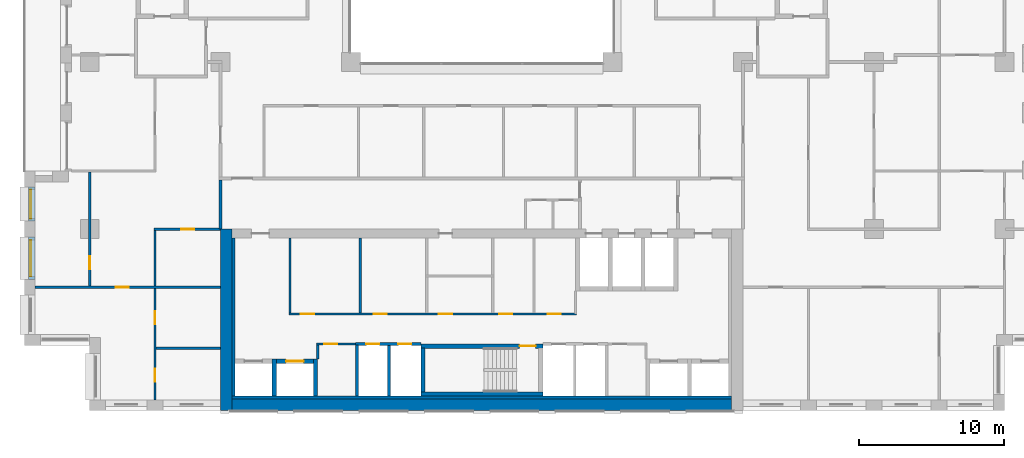
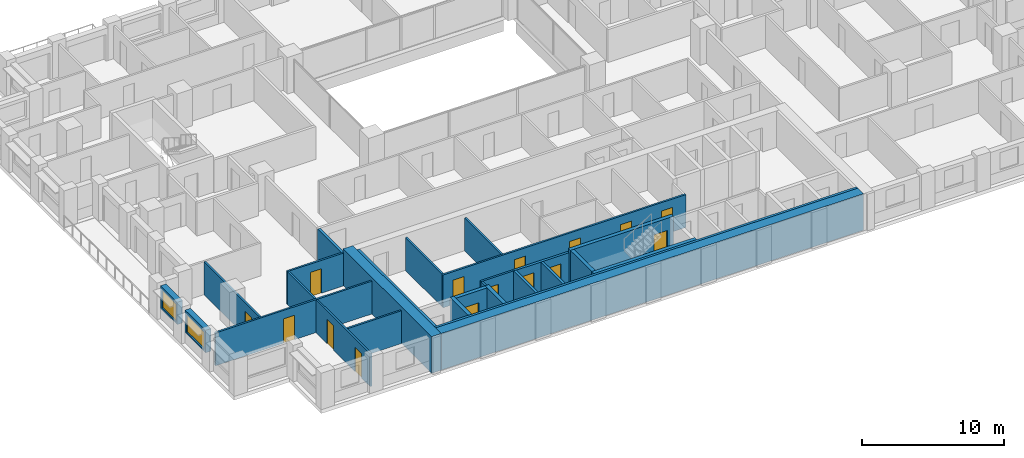
# One storey, part 8 of 16: 27 walls, 15 doors, 2 windows, 17 openings.
"""IFC4 building model written with IfcOpenShell, lengths in metres."""

from ifc_helpers import new_model, si_unit, direction, frame, frame_2d, origin, place, context, subcontext, project, spatial, rectangle, extrude, material, layer, layer_set, type_object, element, fill, save


model = new_model("IFC4")

# Units and contexts
model_context = context("Model", 3, precision=1e-05, world=origin(), true_north=direction((0.0, 1.0)))
body_context = subcontext(model_context, "Body", "Model", "MODEL_VIEW")
ifc_project = project(units=[si_unit("LENGTHUNIT", "METRE"), si_unit("AREAUNIT", "SQUARE_METRE"), si_unit("VOLUMEUNIT", "CUBIC_METRE"), si_unit("PLANEANGLEUNIT", "RADIAN"), si_unit("MASSUNIT", "GRAM", prefix="KILO")], contexts=[model_context])

# Site, building, storey
site_placement = place(None, origin())
site = spatial("IfcSite", under=ifc_project, at=site_placement, CompositionType="ELEMENT")
building_placement = place(site_placement, origin())
building = spatial("IfcBuilding", under=site, at=building_placement, Name="Brigalow Station Residences", CompositionType="ELEMENT")
storey_placement = place(building_placement, frame((0.0, 0.0, 89.85009765625)))
storey = spatial("IfcBuildingStorey", under=building, at=storey_placement, Name="L25", CompositionType="ELEMENT", Elevation=89.85009765625)

# Wall, opening, window
ifc_material_1 = material(Name="Clay brick masonry", Category="masonry")
ifc_layer_1 = layer(ifc_material_1, 0.449951171875)
ifc_layer_set_1 = layer_set([ifc_layer_1], Name="BRICK INFILL WALL 450")
wall_type_1 = type_object("IfcWallType", Name="BRICK INFILL WALL 450", PredefinedType="SOLIDWALL", material=ifc_layer_set_1)
wall_1_placement = place(storey_placement, frame((5.02490234375, 15.39990234375, 0.89990234375), z_axis=(0.0, 0.0, 1.0), x_axis=(0.0, -1.0, 0.0)))
wall_1 = element("IfcWall", 1, at=wall_1_placement, inside=storey, type_object=wall_type_1, Name="L25/ewall/W-L25-47", PredefinedType="SOLIDWALL", context=body_context, shape_type="SweptSolid", body=[
    extrude(rectangle(XDim=2.349853515625, YDim=0.449951171875, at=frame_2d((1.1748046875, 0.0))), origin(), (0.0, 0.0, 1.0), 1.929931640625),
])
opening_1_placement = place(wall_1_placement, frame((0.175048828125, 0.0, 0.14990234375)))
opening_1 = element("IfcOpeningElement", 2, at=opening_1_placement, cuts=wall_1, Name="Opening WT-7", PredefinedType="OPENING", context=body_context, shape_type="SweptSolid", body=[
    extrude(rectangle(XDim=2.0, YDim=1.5, at=frame_2d((1.0, 0.75))), frame((0.0, 0.23486328125, 0.0), z_axis=(0.0, -1.0, 0.0), x_axis=(1.0, 0.0, 0.0)), (0.0, 0.0, 1.0), 0.469970703125),
])
ifc_material_2 = material(Name="Anodised aluminium frame with double glazing", Category="aluminium")
window_type_1 = type_object("IfcWindowType", Name="WINDOW 2000x1500", PartitioningType="SINGLE_PANEL", PredefinedType="WINDOW", material=ifc_material_2)
window_1_placement = place(opening_1_placement, origin())
window_1 = element("IfcWindow", 3, at=window_1_placement, inside=storey, type_object=window_type_1, Name="L25/window/W-L25-47", OverallHeight=1.5, OverallWidth=2.0, PartitioningType="SINGLE_PANEL", PredefinedType="WINDOW", context=body_context, shape_type="SweptSolid", body=[
    extrude(rectangle(XDim=2.0, YDim=1.5, at=frame_2d((1.0, 0.75))), frame((0.0, -0.06494140625, 0.0), z_axis=(0.0, -1.0, 0.0), x_axis=(1.0, 0.0, 0.0)), (0.0, 0.0, 1.0), 0.06005859375),
])
fill(opening_1, window_1)

wall_2_placement = place(storey_placement, frame((5.02490234375, 11.949951171875, 0.89990234375), z_axis=(0.0, 0.0, 1.0), x_axis=(0.0, -1.0, 0.0)))
wall_2 = element("IfcWall", 4, at=wall_2_placement, inside=storey, type_object=wall_type_1, Name="L25/ewall/W-L25-48", PredefinedType="SOLIDWALL", context=body_context, shape_type="SweptSolid", body=[
    extrude(rectangle(XDim=2.89990234375, YDim=0.449951171875, at=frame_2d((1.449951171875, 0.0))), origin(), (0.0, 0.0, 1.0), 1.929931640625),
])
opening_2_placement = place(wall_2_placement, frame((0.199951171875, 0.0, 0.14990234375)))
opening_2 = element("IfcOpeningElement", 5, at=opening_2_placement, cuts=wall_2, Name="Opening WT-5", PredefinedType="OPENING", context=body_context, shape_type="SweptSolid", body=[
    extrude(rectangle(XDim=2.5, YDim=1.5, at=frame_2d((1.25, 0.75))), frame((0.0, 0.23486328125, 0.0), z_axis=(0.0, -1.0, 0.0), x_axis=(1.0, 0.0, 0.0)), (0.0, 0.0, 1.0), 0.469970703125),
])
ifc_material_3 = material(Name="Anodised aluminium frame with double glazing", Category="aluminium")
window_type_2 = type_object("IfcWindowType", Name="WINDOW 2500x1500", PartitioningType="SINGLE_PANEL", PredefinedType="WINDOW", material=ifc_material_3)
window_2_placement = place(opening_2_placement, origin())
window_2 = element("IfcWindow", 6, at=window_2_placement, inside=storey, type_object=window_type_2, Name="L25/window/W-L25-48", OverallHeight=1.5, OverallWidth=2.5, PartitioningType="SINGLE_PANEL", PredefinedType="WINDOW", context=body_context, shape_type="SweptSolid", body=[
    extrude(rectangle(XDim=2.5, YDim=1.5, at=frame_2d((1.25, 0.75))), frame((0.0, -0.06494140625, 0.0), z_axis=(0.0, -1.0, 0.0), x_axis=(1.0, 0.0, 0.0)), (0.0, 0.0, 1.0), 0.06005859375),
])
fill(opening_2, window_2)

# Walls
ifc_material_4 = material(Name="Concrete C65", Category="concrete")
ifc_layer_2 = layer(ifc_material_4, 0.199951171875)
ifc_layer_set_2 = layer_set([ifc_layer_2], Name="CORE SHEAR WALL 200 C65")
wall_type_2 = type_object("IfcWallType", Name="CORE SHEAR WALL 200 C65", PredefinedType="SHEAR", material=ifc_layer_set_2)
wall_3_placement = place(storey_placement, frame((18.89990234375, 1.0, 0.0), z_axis=(0.0, 0.0, 1.0), x_axis=(0.0, 1.0, 0.0)))
element("IfcWall", 7, at=wall_3_placement, inside=storey, type_object=wall_type_2, Name="CORE WALL LIN-W L25", PredefinedType="SHEAR", context=body_context, shape_type="SweptSolid", body=[
    extrude(rectangle(XDim=10.89990234375, YDim=0.199951171875, at=frame_2d((5.449951171875, 0.0))), origin(), (0.0, 0.0, 1.0), 3.14990234375),
])
wall_4_placement = place(storey_placement, frame((18.800048828125, 0.89990234375, 0.0), z_axis=(0.0, 0.0, 1.0), x_axis=(1.0, 0.0, 0.0)))
element("IfcWall", 8, at=wall_4_placement, inside=storey, type_object=wall_type_2, Name="CORE WALL LIN-S L25", PredefinedType="SHEAR", context=body_context, shape_type="SweptSolid", body=[
    extrude(rectangle(XDim=34.39990234375, YDim=0.199951171875, at=frame_2d((17.199951171875, 0.0))), origin(), (0.0, 0.0, 1.0), 3.14990234375),
])

# Wall, opening, door
ifc_material_5 = material(Name="Concrete C65", Category="concrete")
ifc_layer_3 = layer(ifc_material_5, 0.300048828125)
ifc_layer_set_3 = layer_set([ifc_layer_3], Name="CORE SHEAR WALL 300 C65")
wall_type_3 = type_object("IfcWallType", Name="CORE SHEAR WALL 300 C65", PredefinedType="SHEAR", material=ifc_layer_set_3)
wall_5_placement = place(storey_placement, frame((21.85009765625, 3.39990234375, 0.0), z_axis=(0.0, 0.0, 1.0), x_axis=(1.0, 0.0, 0.0)))
wall_5 = element("IfcWall", 9, at=wall_5_placement, inside=storey, type_object=wall_type_3, Name="CORE WALL SH-C2-N L25", PredefinedType="SHEAR", context=body_context, shape_type="SweptSolid", body=[
    extrude(rectangle(XDim=2.5498046875, YDim=0.300048828125, at=frame_2d((1.27490234375, 0.0))), origin(), (0.0, 0.0, 1.0), 3.14990234375),
])
opening_3_placement = place(wall_5_placement, frame((0.675048828125, 0.0, 0.0)))
opening_3 = element("IfcOpeningElement", 10, at=opening_3_placement, cuts=wall_5, Name="Opening LD-LB2", PredefinedType="OPENING", context=body_context, shape_type="SweptSolid", body=[
    extrude(rectangle(XDim=1.199951171875, YDim=2.10009765625, at=frame_2d((0.60009765625, 1.050048828125))), frame((0.0, 0.16015625, 0.0), z_axis=(0.0, -1.0, 0.0), x_axis=(1.0, 0.0, 0.0)), (0.0, 0.0, 1.0), 0.320068359375),
])
ifc_material_6 = material(Name="Stainless steel sliding door leaves", Category="steel")
door_type_1 = type_object("IfcDoorType", Name="LIFT LANDING DOOR 1200 x 2100", OperationType="DOUBLE_DOOR_SLIDING", PredefinedType="DOOR", material=ifc_material_6)
door_1_placement = place(opening_3_placement, origin())
door_1 = element("IfcDoor", 11, at=door_1_placement, inside=storey, type_object=door_type_1, Name="LANDING DOOR LB2", OperationType="DOUBLE_DOOR_SLIDING", OverallHeight=2.10009765625, OverallWidth=1.199951171875, PredefinedType="DOOR", context=body_context, shape_type="SweptSolid", body=[
    extrude(rectangle(XDim=1.199951171875, YDim=2.10009765625, at=frame_2d((0.60009765625, 1.050048828125))), frame((0.0, 0.02490234375, 0.0), z_axis=(0.0, -1.0, 0.0), x_axis=(1.0, 0.0, 0.0)), (0.0, 0.0, 1.0), 0.050048828125),
])
fill(opening_3, door_1)

# Walls
for number, where, z_axis, x_axis, name in (
    (12, (21.699951171875, 1.0, 0.0), (0.0, 0.0, 1.0), (0.0, 1.0, 0.0), "CORE WALL SH-C2-W L25"),
    (13, (24.550048828125, 1.0, 0.0), (0.0, 0.0, 1.0), (0.0, 1.0, 0.0), "CORE WALL SH-C2-E L25"),
):
    element("IfcWall", number, at=place(storey_placement, frame(where, z_axis=z_axis, x_axis=x_axis)), inside=storey, type_object=wall_type_3, Name=name, PredefinedType="SHEAR", context=body_context, shape_type="SweptSolid", body=[
        extrude(rectangle(XDim=2.550048828125, YDim=0.300048828125, at=frame_2d((1.27490234375, 0.0))), origin(), (0.0, 0.0, 1.0), 3.14990234375),
    ])
wall_6_placement = place(storey_placement, frame((31.800048828125, 1.14990234375, 0.0), z_axis=(0.0, 0.0, 1.0), x_axis=(1.0, 0.0, 0.0)))
element("IfcWall", 14, at=wall_6_placement, inside=storey, type_object=wall_type_3, Name="CORE WALL ST-S2-S L25", PredefinedType="SHEAR", context=body_context, shape_type="SweptSolid", body=[
    extrude(rectangle(XDim=8.39990234375, YDim=0.300048828125, at=frame_2d((4.199951171875, 0.0))), origin(), (0.0, 0.0, 1.0), 3.14990234375),
])

# Wall, opening, door
wall_7_placement = place(storey_placement, frame((31.800048828125, 4.449951171875, 0.0), z_axis=(0.0, 0.0, 1.0), x_axis=(1.0, 0.0, 0.0)))
wall_7 = element("IfcWall", 15, at=wall_7_placement, inside=storey, type_object=wall_type_3, Name="CORE WALL ST-S2-N L25", PredefinedType="SHEAR", context=body_context, shape_type="SweptSolid", body=[
    extrude(rectangle(XDim=8.39990234375, YDim=0.300048828125, at=frame_2d((4.199951171875, 0.0))), origin(), (0.0, 0.0, 1.0), 3.14990234375),
])
opening_4_placement = place(wall_7_placement, frame((6.800048828125, 0.0, 0.0)))
opening_4 = element("IfcOpeningElement", 16, at=opening_4_placement, cuts=wall_7, Name="Opening D-5001", PredefinedType="OPENING", context=body_context, shape_type="SweptSolid", body=[
    extrude(rectangle(XDim=1.10009765625, YDim=2.10009765625, at=frame_2d((0.550048828125, 1.050048828125))), frame((0.0, 0.16015625, 0.0), z_axis=(0.0, -1.0, 0.0), x_axis=(1.0, 0.0, 0.0)), (0.0, 0.0, 1.0), 0.320068359375),
])
ifc_material_7 = material(Name="Steel fire door leaf in steel frame", Category="steel")
door_type_2 = type_object("IfcDoorType", Name="STAIR DOOR 1100 x 2100 FD60S", OperationType="SINGLE_SWING_LEFT", PredefinedType="DOOR", material=ifc_material_7)
door_2_placement = place(opening_4_placement, frame((1.10009765625, 0.0, 0.0), z_axis=(0.0, 0.0, 1.0), x_axis=(-1.0, 0.0, 0.0)))
door_2 = element("IfcDoor", 17, at=door_2_placement, inside=storey, type_object=door_type_2, Name="D-5001", OperationType="SINGLE_SWING_LEFT", OverallHeight=2.10009765625, OverallWidth=1.10009765625, PredefinedType="DOOR", context=body_context, shape_type="SweptSolid", body=[
    extrude(rectangle(XDim=1.10009765625, YDim=2.10009765625, at=frame_2d((0.550048828125, 1.050048828125))), frame((0.0, 0.02490234375, 0.0), z_axis=(0.0, -1.0, 0.0), x_axis=(1.0, 0.0, 0.0)), (0.0, 0.0, 1.0), 0.050048828125),
])
fill(opening_4, door_2)

# Walls
wall_8_placement = place(storey_placement, frame((31.949951171875, 1.300048828125, 0.0), z_axis=(0.0, 0.0, 1.0), x_axis=(0.0, 1.0, 0.0)))
element("IfcWall", 18, at=wall_8_placement, inside=storey, type_object=wall_type_3, Name="CORE WALL ST-S2-W L25", PredefinedType="SHEAR", context=body_context, shape_type="SweptSolid", body=[
    extrude(rectangle(XDim=3.0, YDim=0.300048828125, at=frame_2d((1.5, 0.0))), origin(), (0.0, 0.0, 1.0), 3.14990234375),
])
ifc_material_8 = material(Name="Concrete C65", Category="concrete")
ifc_layer_4 = layer(ifc_material_8, 0.800048828125)
ifc_layer_set_4 = layer_set([ifc_layer_4], Name="CORE SHEAR WALL 800 C65")
wall_type_4 = type_object("IfcWallType", Name="CORE SHEAR WALL 800 C65", PredefinedType="SHEAR", material=ifc_layer_set_4)
wall_9_placement = place(storey_placement, frame((18.39990234375, 0.0, 0.0), z_axis=(0.0, 0.0, 1.0), x_axis=(0.0, 1.0, 0.0)))
element("IfcWall", 19, at=wall_9_placement, inside=storey, type_object=wall_type_4, Name="CORE WALL OUT-W L25", PredefinedType="SHEAR", context=body_context, shape_type="SweptSolid", body=[
    extrude(rectangle(XDim=12.5, YDim=0.800048828125, at=frame_2d((6.25, 0.0))), origin(), (0.0, 0.0, 1.0), 3.14990234375),
])
wall_10_placement = place(storey_placement, frame((18.800048828125, 0.39990234375, 0.0), z_axis=(0.0, 0.0, 1.0), x_axis=(1.0, 0.0, 0.0)))
element("IfcWall", 20, at=wall_10_placement, inside=storey, type_object=wall_type_4, Name="CORE WALL OUT-S L25", PredefinedType="SHEAR", context=body_context, shape_type="SweptSolid", body=[
    extrude(rectangle(XDim=34.39990234375, YDim=0.800048828125, at=frame_2d((17.199951171875, 0.0))), origin(), (0.0, 0.0, 1.0), 3.14990234375),
])

# Wall, openings, doors
ifc_material_9 = material(Name="Concrete blockwork", Category="masonry")
ifc_layer_5 = layer(ifc_material_9, 0.199951171875)
ifc_layer_set_5 = layer_set([ifc_layer_5], Name="FIRE RATED CORE PARTITION 200")
wall_type_5 = type_object("IfcWallType", Name="FIRE RATED CORE PARTITION 200", PredefinedType="PARTITIONING", material=ifc_layer_set_5)
wall_11_placement = place(storey_placement, frame((27.300048828125, 4.60009765625, 0.0), z_axis=(0.0, 0.0, 1.0), x_axis=(1.0, 0.0, 0.0)))
wall_11 = element("IfcWall", 21, at=wall_11_placement, inside=storey, type_object=wall_type_5, Name="PW-5017", PredefinedType="PARTITIONING", context=body_context, shape_type="SweptSolid", body=[
    extrude(rectangle(XDim=4.5, YDim=0.199951171875, at=frame_2d((2.25, 0.0))), origin(), (0.0, 0.0, 1.0), 2.829833984375),
])
opening_5_placement = place(wall_11_placement, frame((0.75, 0.0, 0.0)))
opening_5 = element("IfcOpeningElement", 22, at=opening_5_placement, cuts=wall_11, Name="Opening D-5007", PredefinedType="OPENING", context=body_context, shape_type="SweptSolid", body=[
    extrude(rectangle(XDim=0.89990234375, YDim=2.10009765625, at=frame_2d((0.449951171875, 1.050048828125))), frame((0.0, 0.10986328125, 0.0), z_axis=(0.0, -1.0, 0.0), x_axis=(1.0, 0.0, 0.0)), (0.0, 0.0, 1.0), 0.219970703125),
])
opening_6_placement = place(wall_11_placement, frame((2.949951171875, 0.0, 0.0)))
opening_6 = element("IfcOpeningElement", 23, at=opening_6_placement, cuts=wall_11, Name="Opening D-5008", PredefinedType="OPENING", context=body_context, shape_type="SweptSolid", body=[
    extrude(rectangle(XDim=0.89990234375, YDim=2.10009765625, at=frame_2d((0.449951171875, 1.050048828125))), frame((0.0, 0.10986328125, 0.0), z_axis=(0.0, -1.0, 0.0), x_axis=(1.0, 0.0, 0.0)), (0.0, 0.0, 1.0), 0.219970703125),
])
ifc_material_10 = material(Name="Steel fire door leaf in steel frame", Category="steel")
door_type_3 = type_object("IfcDoorType", Name="RISER ACCESS DOOR 900 x 2100 FD120", OperationType="SINGLE_SWING_LEFT", PredefinedType="DOOR", material=ifc_material_10)
door_3_placement = place(opening_5_placement, frame((0.89990234375, 0.0, 0.0), z_axis=(0.0, 0.0, 1.0), x_axis=(-1.0, 0.0, 0.0)))
door_3 = element("IfcDoor", 24, at=door_3_placement, inside=storey, type_object=door_type_3, Name="D-5007", OperationType="SINGLE_SWING_RIGHT", OverallHeight=2.10009765625, OverallWidth=0.89990234375, PredefinedType="DOOR", context=body_context, shape_type="SweptSolid", body=[
    extrude(rectangle(XDim=0.89990234375, YDim=2.10009765625, at=frame_2d((0.449951171875, 1.050048828125))), frame((0.0, 0.02490234375, 0.0), z_axis=(0.0, -1.0, 0.0), x_axis=(1.0, 0.0, 0.0)), (0.0, 0.0, 1.0), 0.050048828125),
])
fill(opening_5, door_3)
door_4_placement = place(opening_6_placement, frame((0.89990234375, 0.0, 0.0), z_axis=(0.0, 0.0, 1.0), x_axis=(-1.0, 0.0, 0.0)))
door_4 = element("IfcDoor", 25, at=door_4_placement, inside=storey, type_object=door_type_3, Name="D-5008", OperationType="SINGLE_SWING_RIGHT", OverallHeight=2.10009765625, OverallWidth=0.89990234375, PredefinedType="DOOR", context=body_context, shape_type="SweptSolid", body=[
    extrude(rectangle(XDim=0.89990234375, YDim=2.10009765625, at=frame_2d((0.449951171875, 1.050048828125))), frame((0.0, 0.02490234375, 0.0), z_axis=(0.0, -1.0, 0.0), x_axis=(1.0, 0.0, 0.0)), (0.0, 0.0, 1.0), 0.050048828125),
])
fill(opening_6, door_4)

# Walls
wall_12_placement = place(storey_placement, frame((27.39990234375, 1.0, 0.0), z_axis=(0.0, 0.0, 1.0), x_axis=(0.0, 1.0, 0.0)))
element("IfcWall", 26, at=wall_12_placement, inside=storey, type_object=wall_type_5, Name="PW-5027", PredefinedType="PARTITIONING", context=body_context, shape_type="SweptSolid", body=[
    extrude(rectangle(XDim=3.52490234375, YDim=0.199951171875, at=frame_2d((1.762451171875, 0.0))), origin(), (0.0, 0.0, 1.0), 2.829833984375),
])
wall_13_placement = place(storey_placement, frame((29.60009765625, 1.0, 0.0), z_axis=(0.0, 0.0, 1.0), x_axis=(0.0, 1.0, 0.0)))
element("IfcWall", 27, at=wall_13_placement, inside=storey, type_object=wall_type_5, Name="PW-5006", PredefinedType="PARTITIONING", context=body_context, shape_type="SweptSolid", body=[
    extrude(rectangle(XDim=3.5, YDim=0.199951171875, at=frame_2d((1.75, 0.0))), origin(), (0.0, 0.0, 1.0), 2.829833984375),
])
wall_14_placement = place(storey_placement, frame((18.0, 12.5, 0.0), z_axis=(0.0, 0.0, 1.0), x_axis=(0.0, 1.0, 0.0)))
element("IfcWall", 28, at=wall_14_placement, inside=storey, type_object=wall_type_5, Name="PW-5013", PredefinedType="PARTITIONING", context=body_context, shape_type="SweptSolid", body=[
    extrude(rectangle(XDim=3.39990234375, YDim=0.199951171875, at=frame_2d((1.699951171875, 0.0))), origin(), (0.0, 0.0, 1.0), 2.829833984375),
])

# Wall, opening, door
ifc_material_11 = material(Name="Plasterboard on steel stud partition", Category="steel")
ifc_layer_6 = layer(ifc_material_11, 0.14990234375)
ifc_layer_set_6 = layer_set([ifc_layer_6], Name="FLAT PARTITION 150")
wall_type_6 = type_object("IfcWallType", Name="FLAT PARTITION 150", PredefinedType="PARTITIONING", material=ifc_layer_set_6)
wall_15_placement = place(storey_placement, frame((5.25, 8.5, 0.0), z_axis=(0.0, 0.0, 1.0), x_axis=(1.0, 0.0, 0.0)))
wall_15 = element("IfcWall", 29, at=wall_15_placement, inside=storey, type_object=wall_type_6, Name="PW-2A11", PredefinedType="PARTITIONING", context=body_context, shape_type="SweptSolid", body=[
    extrude(rectangle(XDim=12.75, YDim=0.14990234375, at=frame_2d((6.375, 0.0))), origin(), (0.0, 0.0, 1.0), 2.829833984375),
])
opening_7_placement = place(wall_15_placement, frame((5.550048828125, 0.0, 0.0)))
opening_7 = element("IfcOpeningElement", 30, at=opening_7_placement, cuts=wall_15, Name="Opening D-2A04", PredefinedType="OPENING", context=body_context, shape_type="SweptSolid", body=[
    extrude(rectangle(XDim=0.89990234375, YDim=2.10009765625, at=frame_2d((0.449951171875, 1.050048828125))), frame((0.0, 0.0849609375, 0.0), z_axis=(0.0, -1.0, 0.0), x_axis=(1.0, 0.0, 0.0)), (0.0, 0.0, 1.0), 0.169921875),
])
ifc_material_12 = material(Name="Solid-core timber door leaf", Category="wood")
door_type_4 = type_object("IfcDoorType", Name="INTERNAL DOOR 900 x 2100", OperationType="SINGLE_SWING_LEFT", PredefinedType="DOOR", material=ifc_material_12)
door_5_placement = place(opening_7_placement, frame((0.89990234375, 0.0, 0.0), z_axis=(0.0, 0.0, 1.0), x_axis=(-1.0, 0.0, 0.0)))
door_5 = element("IfcDoor", 31, at=door_5_placement, inside=storey, type_object=door_type_4, Name="D-2A04", OperationType="SINGLE_SWING_LEFT", OverallHeight=2.10009765625, OverallWidth=0.89990234375, PredefinedType="DOOR", context=body_context, shape_type="SweptSolid", body=[
    extrude(rectangle(XDim=0.89990234375, YDim=2.10009765625, at=frame_2d((0.449951171875, 1.050048828125))), frame((0.0, 0.02490234375, 0.0), z_axis=(0.0, -1.0, 0.0), x_axis=(1.0, 0.0, 0.0)), (0.0, 0.0, 1.0), 0.050048828125),
])
fill(opening_7, door_5)

# Wall
wall_16_placement = place(storey_placement, frame((13.574951171875, 4.300048828125, 0.0), z_axis=(0.0, 0.0, 1.0), x_axis=(1.0, 0.0, 0.0)))
element("IfcWall", 32, at=wall_16_placement, inside=storey, type_object=wall_type_6, Name="PW-2A13", PredefinedType="PARTITIONING", context=body_context, shape_type="SweptSolid", body=[
    extrude(rectangle(XDim=4.425048828125, YDim=0.14990234375, at=frame_2d((2.21240234375, 0.0))), origin(), (0.0, 0.0, 1.0), 2.829833984375),
])

# Wall, opening, door
wall_17_placement = place(storey_placement, frame((13.425048828125, 12.5, 0.0), z_axis=(0.0, 0.0, 1.0), x_axis=(1.0, 0.0, 0.0)))
wall_17 = element("IfcWall", 33, at=wall_17_placement, inside=storey, type_object=wall_type_6, Name="PW-2A16", PredefinedType="PARTITIONING", context=body_context, shape_type="SweptSolid", body=[
    extrude(rectangle(XDim=4.574951171875, YDim=0.14990234375, at=frame_2d((2.28759765625, 0.0))), origin(), (0.0, 0.0, 1.0), 2.829833984375),
])
opening_8_placement = place(wall_17_placement, frame((1.875, 0.0, 0.0)))
opening_8 = element("IfcOpeningElement", 34, at=opening_8_placement, cuts=wall_17, Name="Opening D-2A08", PredefinedType="OPENING", context=body_context, shape_type="SweptSolid", body=[
    extrude(rectangle(XDim=0.89990234375, YDim=2.10009765625, at=frame_2d((0.449951171875, 1.050048828125))), frame((0.0, 0.0849609375, 0.0), z_axis=(0.0, -1.0, 0.0), x_axis=(1.0, 0.0, 0.0)), (0.0, 0.0, 1.0), 0.169921875),
])
door_6_placement = place(opening_8_placement, frame((0.89990234375, 0.0, 0.0), z_axis=(0.0, 0.0, 1.0), x_axis=(-1.0, 0.0, 0.0)))
door_6 = element("IfcDoor", 35, at=door_6_placement, inside=storey, type_object=door_type_4, Name="D-2A08", OperationType="SINGLE_SWING_RIGHT", OverallHeight=2.10009765625, OverallWidth=0.89990234375, PredefinedType="DOOR", context=body_context, shape_type="SweptSolid", body=[
    extrude(rectangle(XDim=0.89990234375, YDim=2.10009765625, at=frame_2d((0.449951171875, 1.050048828125))), frame((0.0, 0.02490234375, 0.0), z_axis=(0.0, -1.0, 0.0), x_axis=(1.0, 0.0, 0.0)), (0.0, 0.0, 1.0), 0.050048828125),
])
fill(opening_8, door_6)

# Wall, openings, doors
wall_18_placement = place(storey_placement, frame((13.5, 0.75, 0.0), z_axis=(0.0, 0.0, 1.0), x_axis=(0.0, 1.0, 0.0)))
wall_18 = element("IfcWall", 36, at=wall_18_placement, inside=storey, type_object=wall_type_6, Name="PW-2A48", PredefinedType="PARTITIONING", context=body_context, shape_type="SweptSolid", body=[
    extrude(rectangle(XDim=7.675048828125, YDim=0.14990234375, at=frame_2d((3.83740234375, 0.0))), origin(), (0.0, 0.0, 1.0), 2.829833984375),
])
opening_9_placement = place(wall_18_placement, frame((1.25, 0.0, 0.0)))
opening_9 = element("IfcOpeningElement", 37, at=opening_9_placement, cuts=wall_18, Name="Opening D-2A05", PredefinedType="OPENING", context=body_context, shape_type="SweptSolid", body=[
    extrude(rectangle(XDim=0.89990234375, YDim=2.10009765625, at=frame_2d((0.449951171875, 1.050048828125))), frame((0.0, 0.0849609375, 0.0), z_axis=(0.0, -1.0, 0.0), x_axis=(1.0, 0.0, 0.0)), (0.0, 0.0, 1.0), 0.169921875),
])
opening_10_placement = place(wall_18_placement, frame((5.199951171875, 0.0, 0.0)))
opening_10 = element("IfcOpeningElement", 38, at=opening_10_placement, cuts=wall_18, Name="Opening D-2A06", PredefinedType="OPENING", context=body_context, shape_type="SweptSolid", body=[
    extrude(rectangle(XDim=0.89990234375, YDim=2.10009765625, at=frame_2d((0.449951171875, 1.050048828125))), frame((0.0, 0.0849609375, 0.0), z_axis=(0.0, -1.0, 0.0), x_axis=(1.0, 0.0, 0.0)), (0.0, 0.0, 1.0), 0.169921875),
])
door_7_placement = place(opening_9_placement, frame((0.89990234375, 0.0, 0.0), z_axis=(0.0, 0.0, 1.0), x_axis=(-1.0, 0.0, 0.0)))
door_7 = element("IfcDoor", 39, at=door_7_placement, inside=storey, type_object=door_type_4, Name="D-2A05", OperationType="SINGLE_SWING_RIGHT", OverallHeight=2.10009765625, OverallWidth=0.89990234375, PredefinedType="DOOR", context=body_context, shape_type="SweptSolid", body=[
    extrude(rectangle(XDim=0.89990234375, YDim=2.10009765625, at=frame_2d((0.449951171875, 1.050048828125))), frame((0.0, 0.02490234375, 0.0), z_axis=(0.0, -1.0, 0.0), x_axis=(1.0, 0.0, 0.0)), (0.0, 0.0, 1.0), 0.050048828125),
])
fill(opening_9, door_7)
door_8_placement = place(opening_10_placement, frame((0.89990234375, 0.0, 0.0), z_axis=(0.0, 0.0, 1.0), x_axis=(-1.0, 0.0, 0.0)))
door_8 = element("IfcDoor", 40, at=door_8_placement, inside=storey, type_object=door_type_4, Name="D-2A06", OperationType="SINGLE_SWING_LEFT", OverallHeight=2.10009765625, OverallWidth=0.89990234375, PredefinedType="DOOR", context=body_context, shape_type="SweptSolid", body=[
    extrude(rectangle(XDim=0.89990234375, YDim=2.10009765625, at=frame_2d((0.449951171875, 1.050048828125))), frame((0.0, 0.02490234375, 0.0), z_axis=(0.0, -1.0, 0.0), x_axis=(1.0, 0.0, 0.0)), (0.0, 0.0, 1.0), 0.050048828125),
])
fill(opening_10, door_8)

# Wall
wall_19_placement = place(storey_placement, frame((13.5, 8.574951171875, 0.0), z_axis=(0.0, 0.0, 1.0), x_axis=(0.0, 1.0, 0.0)))
element("IfcWall", 41, at=wall_19_placement, inside=storey, type_object=wall_type_6, Name="PW-2A49", PredefinedType="PARTITIONING", context=body_context, shape_type="SweptSolid", body=[
    extrude(rectangle(XDim=3.85009765625, YDim=0.14990234375, at=frame_2d((1.925048828125, 0.0))), origin(), (0.0, 0.0, 1.0), 2.829833984375),
])

# Wall, opening, door
wall_20_placement = place(storey_placement, frame((9.0, 8.574951171875, 0.0), z_axis=(0.0, 0.0, 1.0), x_axis=(0.0, 1.0, 0.0)))
wall_20 = element("IfcWall", 42, at=wall_20_placement, inside=storey, type_object=wall_type_6, Name="PW-2A52", PredefinedType="PARTITIONING", context=body_context, shape_type="SweptSolid", body=[
    extrude(rectangle(XDim=7.85009765625, YDim=0.14990234375, at=frame_2d((3.925048828125, 0.0))), origin(), (0.0, 0.0, 1.0), 2.829833984375),
])
opening_11_placement = place(wall_20_placement, frame((1.14990234375, 0.0, 0.0)))
opening_11 = element("IfcOpeningElement", 43, at=opening_11_placement, cuts=wall_20, Name="Opening D-2A07", PredefinedType="OPENING", context=body_context, shape_type="SweptSolid", body=[
    extrude(rectangle(XDim=0.89990234375, YDim=2.10009765625, at=frame_2d((0.449951171875, 1.050048828125))), frame((0.0, 0.0849609375, 0.0), z_axis=(0.0, -1.0, 0.0), x_axis=(1.0, 0.0, 0.0)), (0.0, 0.0, 1.0), 0.169921875),
])
door_9_placement = place(opening_11_placement, origin())
door_9 = element("IfcDoor", 44, at=door_9_placement, inside=storey, type_object=door_type_4, Name="D-2A07", OperationType="SINGLE_SWING_LEFT", OverallHeight=2.10009765625, OverallWidth=0.89990234375, PredefinedType="DOOR", context=body_context, shape_type="SweptSolid", body=[
    extrude(rectangle(XDim=0.89990234375, YDim=2.10009765625, at=frame_2d((0.449951171875, 1.050048828125))), frame((0.0, 0.02490234375, 0.0), z_axis=(0.0, -1.0, 0.0), x_axis=(1.0, 0.0, 0.0)), (0.0, 0.0, 1.0), 0.050048828125),
])
fill(opening_11, door_9)

ifc_material_13 = material(Name="Plasterboard on steel studs", Category="steel")
ifc_layer_7 = layer(ifc_material_13, 0.14990234375)
ifc_layer_set_7 = layer_set([ifc_layer_7], Name="SERVICE ROOM PARTITION 150")
wall_type_7 = type_object("IfcWallType", Name="SERVICE ROOM PARTITION 150", PredefinedType="PARTITIONING", material=ifc_layer_set_7)
wall_21_placement = place(storey_placement, frame((24.625, 4.60009765625, 0.0), z_axis=(0.0, 0.0, 1.0), x_axis=(1.0, 0.0, 0.0)))
wall_21 = element("IfcWall", 45, at=wall_21_placement, inside=storey, type_object=wall_type_7, Name="PW-5155", PredefinedType="PARTITIONING", context=body_context, shape_type="SweptSolid", body=[
    extrude(rectangle(XDim=2.675048828125, YDim=0.14990234375, at=frame_2d((1.33740234375, 0.0))), origin(), (0.0, 0.0, 1.0), 2.829833984375),
])
opening_12_placement = place(wall_21_placement, frame((0.52490234375, 0.0, 0.0)))
opening_12 = element("IfcOpeningElement", 46, at=opening_12_placement, cuts=wall_21, Name="Opening D-5087", PredefinedType="OPENING", context=body_context, shape_type="SweptSolid", body=[
    extrude(rectangle(XDim=0.89990234375, YDim=2.10009765625, at=frame_2d((0.449951171875, 1.050048828125))), frame((0.0, 0.0849609375, 0.0), z_axis=(0.0, -1.0, 0.0), x_axis=(1.0, 0.0, 0.0)), (0.0, 0.0, 1.0), 0.169921875),
])
ifc_material_14 = material(Name="Steel door leaf in steel frame", Category="steel")
door_type_5 = type_object("IfcDoorType", Name="SERVICE ROOM DOOR 900 x 2100 FD60", OperationType="SINGLE_SWING_LEFT", PredefinedType="DOOR", material=ifc_material_14)
door_10_placement = place(opening_12_placement, frame((0.89990234375, 0.0, 0.0), z_axis=(0.0, 0.0, 1.0), x_axis=(-1.0, 0.0, 0.0)))
door_10 = element("IfcDoor", 47, at=door_10_placement, inside=storey, type_object=door_type_5, Name="D-5087", OperationType="SINGLE_SWING_RIGHT", OverallHeight=2.10009765625, OverallWidth=0.89990234375, PredefinedType="DOOR", context=body_context, shape_type="SweptSolid", body=[
    extrude(rectangle(XDim=0.89990234375, YDim=2.10009765625, at=frame_2d((0.449951171875, 1.050048828125))), frame((0.0, 0.02490234375, 0.0), z_axis=(0.0, -1.0, 0.0), x_axis=(1.0, 0.0, 0.0)), (0.0, 0.0, 1.0), 0.050048828125),
])
fill(opening_12, door_10)

# Wall, openings, doors
wall_22_placement = place(storey_placement, frame((22.72509765625, 6.64990234375, 0.0), z_axis=(0.0, 0.0, 1.0), x_axis=(1.0, 0.0, 0.0)))
wall_22 = element("IfcWall", 48, at=wall_22_placement, inside=storey, type_object=wall_type_7, Name="PW-5195", PredefinedType="PARTITIONING", context=body_context, shape_type="SweptSolid", body=[
    extrude(rectangle(XDim=19.7998046875, YDim=0.14990234375, at=frame_2d((9.89990234375, 0.0))), origin(), (0.0, 0.0, 1.0), 2.829833984375),
])
opening_13_placement = place(wall_22_placement, frame((0.824951171875, 0.0, 0.0)))
opening_13 = element("IfcOpeningElement", 49, at=opening_13_placement, cuts=wall_22, Name="Opening D-5110", PredefinedType="OPENING", context=body_context, shape_type="SweptSolid", body=[
    extrude(rectangle(XDim=0.89990234375, YDim=2.10009765625, at=frame_2d((0.449951171875, 1.050048828125))), frame((0.0, 0.0849609375, 0.0), z_axis=(0.0, -1.0, 0.0), x_axis=(1.0, 0.0, 0.0)), (0.0, 0.0, 1.0), 0.169921875),
])
opening_14_placement = place(wall_22_placement, frame((5.824951171875, 0.0, 0.0)))
opening_14 = element("IfcOpeningElement", 50, at=opening_14_placement, cuts=wall_22, Name="Opening D-5111", PredefinedType="OPENING", context=body_context, shape_type="SweptSolid", body=[
    extrude(rectangle(XDim=0.89990234375, YDim=2.10009765625, at=frame_2d((0.449951171875, 1.050048828125))), frame((0.0, 0.0849609375, 0.0), z_axis=(0.0, -1.0, 0.0), x_axis=(1.0, 0.0, 0.0)), (0.0, 0.0, 1.0), 0.169921875),
])
opening_15_placement = place(wall_22_placement, frame((10.324951171875, 0.0, 0.0)))
opening_15 = element("IfcOpeningElement", 51, at=opening_15_placement, cuts=wall_22, Name="Opening D-5112", PredefinedType="OPENING", context=body_context, shape_type="SweptSolid", body=[
    extrude(rectangle(XDim=0.89990234375, YDim=2.10009765625, at=frame_2d((0.449951171875, 1.050048828125))), frame((0.0, 0.0849609375, 0.0), z_axis=(0.0, -1.0, 0.0), x_axis=(1.0, 0.0, 0.0)), (0.0, 0.0, 1.0), 0.169921875),
])
opening_16_placement = place(wall_22_placement, frame((14.47509765625, 0.0, 0.0)))
opening_16 = element("IfcOpeningElement", 52, at=opening_16_placement, cuts=wall_22, Name="Opening D-5114", PredefinedType="OPENING", context=body_context, shape_type="SweptSolid", body=[
    extrude(rectangle(XDim=0.89990234375, YDim=2.10009765625, at=frame_2d((0.449951171875, 1.050048828125))), frame((0.0, 0.0849609375, 0.0), z_axis=(0.0, -1.0, 0.0), x_axis=(1.0, 0.0, 0.0)), (0.0, 0.0, 1.0), 0.169921875),
])
opening_17_placement = place(wall_22_placement, frame((17.824951171875, 0.0, 0.0)))
opening_17 = element("IfcOpeningElement", 53, at=opening_17_placement, cuts=wall_22, Name="Opening D-5115", PredefinedType="OPENING", context=body_context, shape_type="SweptSolid", body=[
    extrude(rectangle(XDim=0.89990234375, YDim=2.10009765625, at=frame_2d((0.449951171875, 1.050048828125))), frame((0.0, 0.0849609375, 0.0), z_axis=(0.0, -1.0, 0.0), x_axis=(1.0, 0.0, 0.0)), (0.0, 0.0, 1.0), 0.169921875),
])
door_11_placement = place(opening_13_placement, origin())
door_11 = element("IfcDoor", 54, at=door_11_placement, inside=storey, type_object=door_type_5, Name="D-5110", OperationType="SINGLE_SWING_LEFT", OverallHeight=2.10009765625, OverallWidth=0.89990234375, PredefinedType="DOOR", context=body_context, shape_type="SweptSolid", body=[
    extrude(rectangle(XDim=0.89990234375, YDim=2.10009765625, at=frame_2d((0.449951171875, 1.050048828125))), frame((0.0, 0.02490234375, 0.0), z_axis=(0.0, -1.0, 0.0), x_axis=(1.0, 0.0, 0.0)), (0.0, 0.0, 1.0), 0.050048828125),
])
fill(opening_13, door_11)
door_12_placement = place(opening_14_placement, origin())
door_12 = element("IfcDoor", 55, at=door_12_placement, inside=storey, type_object=door_type_5, Name="D-5111", OperationType="SINGLE_SWING_LEFT", OverallHeight=2.10009765625, OverallWidth=0.89990234375, PredefinedType="DOOR", context=body_context, shape_type="SweptSolid", body=[
    extrude(rectangle(XDim=0.89990234375, YDim=2.10009765625, at=frame_2d((0.449951171875, 1.050048828125))), frame((0.0, 0.02490234375, 0.0), z_axis=(0.0, -1.0, 0.0), x_axis=(1.0, 0.0, 0.0)), (0.0, 0.0, 1.0), 0.050048828125),
])
fill(opening_14, door_12)
door_13_placement = place(opening_15_placement, origin())
door_13 = element("IfcDoor", 56, at=door_13_placement, inside=storey, type_object=door_type_5, Name="D-5112", OperationType="SINGLE_SWING_LEFT", OverallHeight=2.10009765625, OverallWidth=0.89990234375, PredefinedType="DOOR", context=body_context, shape_type="SweptSolid", body=[
    extrude(rectangle(XDim=0.89990234375, YDim=2.10009765625, at=frame_2d((0.449951171875, 1.050048828125))), frame((0.0, 0.02490234375, 0.0), z_axis=(0.0, -1.0, 0.0), x_axis=(1.0, 0.0, 0.0)), (0.0, 0.0, 1.0), 0.050048828125),
])
fill(opening_15, door_13)
door_14_placement = place(opening_16_placement, origin())
door_14 = element("IfcDoor", 57, at=door_14_placement, inside=storey, type_object=door_type_5, Name="D-5114", OperationType="SINGLE_SWING_LEFT", OverallHeight=2.10009765625, OverallWidth=0.89990234375, PredefinedType="DOOR", context=body_context, shape_type="SweptSolid", body=[
    extrude(rectangle(XDim=0.89990234375, YDim=2.10009765625, at=frame_2d((0.449951171875, 1.050048828125))), frame((0.0, 0.02490234375, 0.0), z_axis=(0.0, -1.0, 0.0), x_axis=(1.0, 0.0, 0.0)), (0.0, 0.0, 1.0), 0.050048828125),
])
fill(opening_16, door_14)
door_15_placement = place(opening_17_placement, origin())
door_15 = element("IfcDoor", 58, at=door_15_placement, inside=storey, type_object=door_type_5, Name="D-5115", OperationType="SINGLE_SWING_LEFT", OverallHeight=2.10009765625, OverallWidth=0.89990234375, PredefinedType="DOOR", context=body_context, shape_type="SweptSolid", body=[
    extrude(rectangle(XDim=0.89990234375, YDim=2.10009765625, at=frame_2d((0.449951171875, 1.050048828125))), frame((0.0, 0.02490234375, 0.0), z_axis=(0.0, -1.0, 0.0), x_axis=(1.0, 0.0, 0.0)), (0.0, 0.0, 1.0), 0.050048828125),
])
fill(opening_17, door_15)

# Walls
wall_23_placement = place(storey_placement, frame((24.699951171875, 3.550048828125, 0.0), z_axis=(0.0, 0.0, 1.0), x_axis=(0.0, 1.0, 0.0)))
element("IfcWall", 59, at=wall_23_placement, inside=storey, type_object=wall_type_7, Name="PW-5157", PredefinedType="PARTITIONING", context=body_context, shape_type="SweptSolid", body=[
    extrude(rectangle(XDim=0.974853515625, YDim=0.14990234375, at=frame_2d((0.4873046875, 0.0))), origin(), (0.0, 0.0, 1.0), 2.829833984375),
])
for number, where, z_axis, x_axis, name in (
    (60, (22.800048828125, 6.72509765625, 0.0), (0.0, 0.0, 1.0), (0.0, 1.0, 0.0), "PW-5197"),
    (61, (27.6298828125, 6.72509765625, 0.0), (0.0, 0.0, 1.0), (0.0, 1.0, 0.0), "PW-5198"),
):
    element("IfcWall", number, at=place(storey_placement, frame(where, z_axis=z_axis, x_axis=x_axis)), inside=storey, type_object=wall_type_7, Name=name, PredefinedType="PARTITIONING", context=body_context, shape_type="SweptSolid", body=[
        extrude(rectangle(XDim=5.1748046875, YDim=0.14990234375, at=frame_2d((2.58740234375, 0.0))), origin(), (0.0, 0.0, 1.0), 2.829833984375),
    ])

save(model, "model.ifc")
